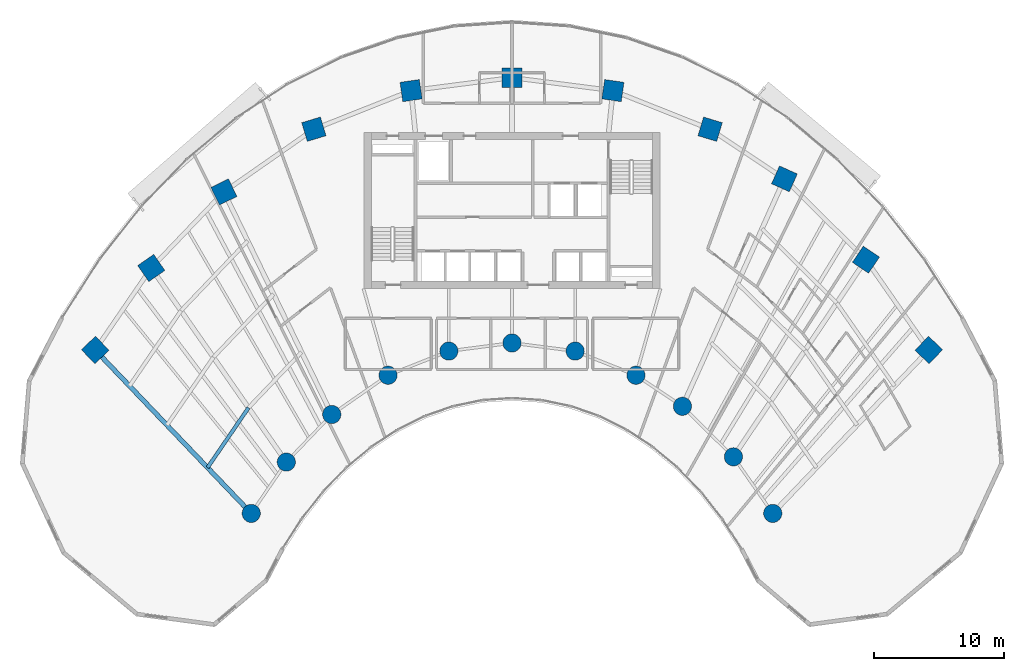
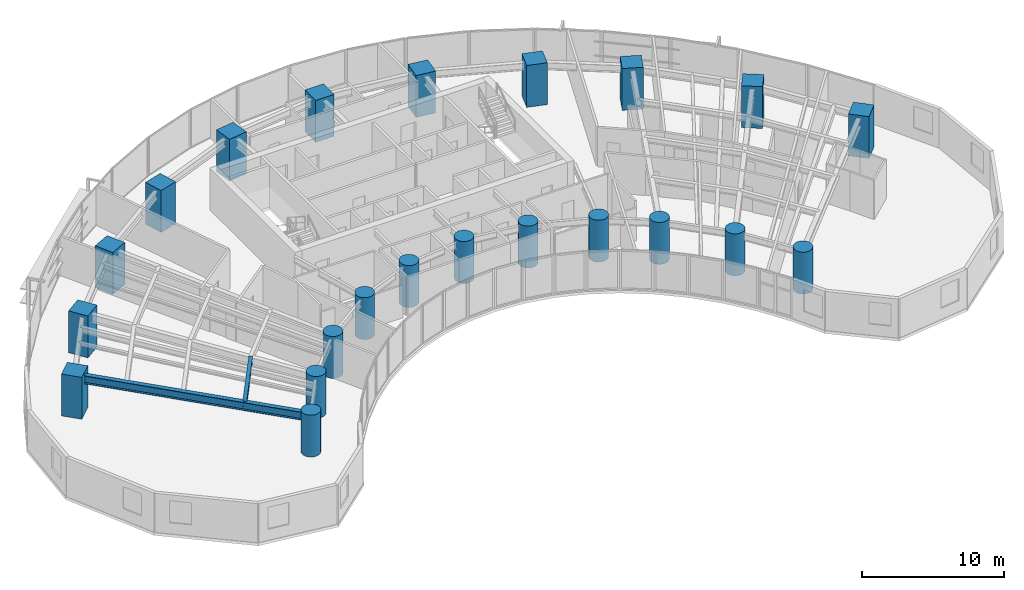
# One storey, part 1 of 17: 22 columns, 2 beams.
"""IFC4 building model written with IfcOpenShell, lengths in metres."""

from ifc_helpers import new_model, si_unit, direction, frame, origin, origin_2d, place, context, subcontext, project, spatial, rectangle, circle, i_section, extrude, source, transform, mapped, material, material_profile, profile_set, type_object, type_shapes, element, save


model = new_model("IFC4")

# Units and contexts
model_context = context("Model", 3, precision=1e-05, world=origin(), true_north=direction((0.0, 1.0)))
body_context = subcontext(model_context, "Body", "Model", "MODEL_VIEW")
ifc_project = project(units=[si_unit("LENGTHUNIT", "METRE"), si_unit("AREAUNIT", "SQUARE_METRE"), si_unit("VOLUMEUNIT", "CUBIC_METRE"), si_unit("PLANEANGLEUNIT", "RADIAN"), si_unit("MASSUNIT", "GRAM", prefix="KILO")], contexts=[model_context])

# Site, building, storey
site_placement = place(None, origin())
site = spatial("IfcSite", under=ifc_project, at=site_placement, CompositionType="ELEMENT")
building_placement = place(site_placement, origin())
building = spatial("IfcBuilding", under=site, at=building_placement, Name="Breltana Convention Tower", CompositionType="ELEMENT")
storey_placement = place(building_placement, frame((0.0, 0.0, 64.199951171875)))
storey = spatial("IfcBuildingStorey", under=building, at=storey_placement, Name="L14", CompositionType="ELEMENT", Elevation=64.199951171875)

# Columns
ifc_material_1 = material(Name="Concrete C60/75", Category="concrete")
ifc_material_profile_1 = material_profile(ifc_material_1, circle(Radius=0.699951171875, at=origin_2d()), Name="RC-COL-D1400")
ifc_profile_set_1 = profile_set([ifc_material_profile_1], Name="Concrete C60/75")
column_type_1 = type_object("IfcColumnType", Name="COL-RC-D1400", PredefinedType="COLUMN", material=ifc_profile_set_1)
shared_shape_1 = source(origin(), body_context, "Body", "SweptSolid", [
    extrude(circle(Radius=0.699951171875, at=origin_2d()), origin(), (0.0, 0.0, 1.0), 3.60009765625),
])
for number, where, z_axis, x_axis, name in (
    (1, (27.984619140625, 42.95458984375, 0.0), (0.0, 0.0, 1.0), (-0.690756218984, 0.723087716626, 0.0), "L14 Tower Column R01-IN"),
    (2, (30.67724609375, 46.892333984375, 0.0), (0.0, 0.0, 1.0), (-0.571143442153, 0.820850271661, 0.0), "L14 Tower Column R02-IN"),
    (3, (34.166259765625, 50.544921875, 0.0), (0.0, 0.0, 1.0), (-0.436173672171, 0.899862504889, 0.0), "L14 Tower Column R03-IN"),
    (4, (38.485107421875, 53.5576171875, 0.0), (0.0, 0.0, 1.0), (-0.288697611798, 0.957420330337, 0.0), "L14 Tower Column R04-IN"),
    (5, (43.153564453125, 55.41064453125, 0.0), (0.0, 0.0, 1.0), (-0.143492621991, 0.98965138682, 0.0), "L14 Tower Column R05-IN"),
    (6, (48.0, 56.035888671875, 0.0), (0.0, 0.0, 1.0), (0.0, 1.0, 0.0), "L14 Tower Column R06-IN"),
    (7, (52.846435546875, 55.41064453125, 0.0), (0.0, 0.0, 1.0), (0.143492621991, 0.98965138682, 0.0), "L14 Tower Column R07-IN"),
    (8, (57.514892578125, 53.5576171875, 0.0), (0.0, 0.0, 1.0), (0.288697611798, 0.957420330337, 0.0), "L14 Tower Column R08-IN"),
    (9, (61.08203125, 51.174560546875, 0.0), (0.0, 0.0, 1.0), (0.409126902895, 0.912477494148, 0.0), "L14 Tower Column R09-IN"),
    (10, (64.995849609375, 47.293701171875, 0.0), (0.0, 0.0, 1.0), (0.55774510898, 0.830012285095, 0.0), "L14 Tower Column R10-IN"),
    (11, (68.015380859375, 42.95458984375, 0.0), (0.0, 0.0, 1.0), (0.690756218984, 0.723087716626, 0.0), "L14 Tower Column R11-IN"),
):
    element("IfcColumn", number, at=place(storey_placement, frame(where, z_axis=z_axis, x_axis=x_axis)), inside=storey, type_object=column_type_1, Name=name, PredefinedType="COLUMN", context=body_context, shape_type="MappedRepresentation", body=[
        mapped(shared_shape_1, transform((0.0, 0.0, 0.0), scale=1.0)),
    ])
ifc_material_profile_2 = material_profile(ifc_material_1, rectangle(XDim=1.5, YDim=1.5, at=origin_2d()), Name="RC-COL-1500X1500")
ifc_profile_set_2 = profile_set([ifc_material_profile_2], Name="Concrete C60/75")
column_type_2 = type_object("IfcColumnType", Name="COL-RC-1500", PredefinedType="COLUMN", material=ifc_profile_set_2)
shared_shape_2 = source(origin(), body_context, "Body", "SweptSolid", [
    extrude(rectangle(XDim=1.5, YDim=1.5, at=origin_2d()), origin(), (0.0, 0.0, 1.0), 3.60009765625),
])
for number, where, z_axis, x_axis, name in (
    (12, (16.0068359375, 55.494384765625, 0.0), (0.0, 0.0, 1.0), (-0.690756218984, 0.723087716626, 0.0), "L14 Tower Column R01-OUT"),
    (13, (20.310791015625, 61.78857421875, 0.0), (0.0, 0.0, 1.0), (-0.571143442153, 0.820850271661, 0.0), "L14 Tower Column R02-OUT"),
    (14, (25.8876953125, 67.626953125, 0.0), (0.0, 0.0, 1.0), (-0.436173672171, 0.899862504889, 0.0), "L14 Tower Column R03-OUT"),
    (15, (32.791015625, 72.4423828125, 0.0), (0.0, 0.0, 1.0), (-0.288697611798, 0.957420330337, 0.0), "L14 Tower Column R04-OUT"),
    (16, (40.253173828125, 75.404296875, 0.0), (0.0, 0.0, 1.0), (-0.143492621991, 0.98965138682, 0.0), "L14 Tower Column R05-OUT"),
    (17, (48.0, 76.404052734375, 0.0), (0.0, 0.0, 1.0), (0.0, 1.0, 0.0), "L14 Tower Column R06-OUT"),
    (18, (55.746826171875, 75.404296875, 0.0), (0.0, 0.0, 1.0), (0.143492621991, 0.98965138682, 0.0), "L14 Tower Column R07-OUT"),
    (19, (63.208984375, 72.4423828125, 0.0), (0.0, 0.0, 1.0), (0.288697611798, 0.957420330337, 0.0), "L14 Tower Column R08-OUT"),
    (20, (68.910400390625, 68.63330078125, 0.0), (0.0, 0.0, 1.0), (0.409126902895, 0.912477494148, 0.0), "L14 Tower Column R09-OUT"),
    (21, (75.166748046875, 62.43017578125, 0.0), (0.0, 0.0, 1.0), (0.55774510898, 0.830012285095, 0.0), "L14 Tower Column R10-OUT"),
    (22, (79.9931640625, 55.494384765625, 0.0), (0.0, 0.0, 1.0), (0.690756218984, 0.723087716626, 0.0), "L14 Tower Column R11-OUT"),
):
    element("IfcColumn", number, at=place(storey_placement, frame(where, z_axis=z_axis, x_axis=x_axis)), inside=storey, type_object=column_type_2, Name=name, PredefinedType="COLUMN", context=body_context, shape_type="MappedRepresentation", body=[
        mapped(shared_shape_2, transform((0.0, 0.0, 0.0), scale=1.0)),
    ])

# Beams
ifc_material_2 = material(Name="Steel ASTM A992 Grade 50", Category="steel")
ifc_material_profile_3 = material_profile(ifc_material_2, i_section(OverallWidth=0.35498046875, OverallDepth=0.696044921875, WebThickness=0.015380859375, FlangeThickness=0.02490234375, at=origin_2d()), Name="W27X146")
ifc_profile_set_3 = profile_set([ifc_material_profile_3], Name="Steel ASTM A992 Grade 50")
beam_type_1 = type_object("IfcBeamType", Name="BM-RG-W27X146", PredefinedType="USERDEFINED", material=ifc_profile_set_3)
shared_shape_3 = source(origin(), body_context, "Body", "SweptSolid", [
    extrude(i_section(OverallWidth=0.35498046875, OverallDepth=0.696044921875, WebThickness=0.015380859375, FlangeThickness=0.02490234375, at=origin_2d()), origin(), (0.0, 0.0, 1.0), 17.341064453125),
])
type_shapes(beam_type_1, [shared_shape_3])
beam_1_placement = place(storey_placement, frame((27.984619140625, 42.95458984375, 3.011962890625), z_axis=(-0.690716462293, 0.723125693581, 0.0), x_axis=(-0.723125693581, -0.690716462293, 0.0)))
element("IfcBeam", 23, at=beam_1_placement, inside=storey, type_object=beam_type_1, Name="L14 Radial Floor Girder R01", ObjectType="GIRDER", PredefinedType="USERDEFINED", context=body_context, shape_type="MappedRepresentation", body=[
    mapped(shared_shape_3, transform((0.0, 0.0, 0.0), scale=1.0)),
])
ifc_material_profile_4 = material_profile(ifc_material_2, i_section(OverallWidth=0.280029296875, OverallDepth=0.462890625, WebThickness=0.0107421875, FlangeThickness=0.017333984375, at=origin_2d()), Name="W18X76")
ifc_profile_set_4 = profile_set([ifc_material_profile_4], Name="Steel ASTM A992 Grade 50")
beam_type_2 = type_object("IfcBeamType", Name="BM-JSG-06", PredefinedType="JOIST", material=ifc_profile_set_4)
shared_shape_4 = source(origin(), body_context, "Body", "SweptSolid", [
    extrude(i_section(OverallWidth=0.280029296875, OverallDepth=0.462890625, WebThickness=0.0107421875, FlangeThickness=0.017333984375, at=origin_2d()), origin(), (0.0, 0.0, 1.0), 5.569580078125),
])
type_shapes(beam_type_2, [shared_shape_4])
beam_2_placement = place(storey_placement, frame((24.630615234375, 46.4658203125, 3.128662109375), z_axis=(0.564493760458, 0.825437335237, 0.0), x_axis=(-0.825437335237, 0.564493760458, 0.0)))
element("IfcBeam", 24, at=beam_2_placement, inside=storey, type_object=beam_type_2, Name="L14 Composite Floor Joist 01.1", PredefinedType="JOIST", context=body_context, shape_type="MappedRepresentation", body=[
    mapped(shared_shape_4, transform((0.0, 0.0, 0.0), scale=1.0)),
])

save(model, "model.ifc")
